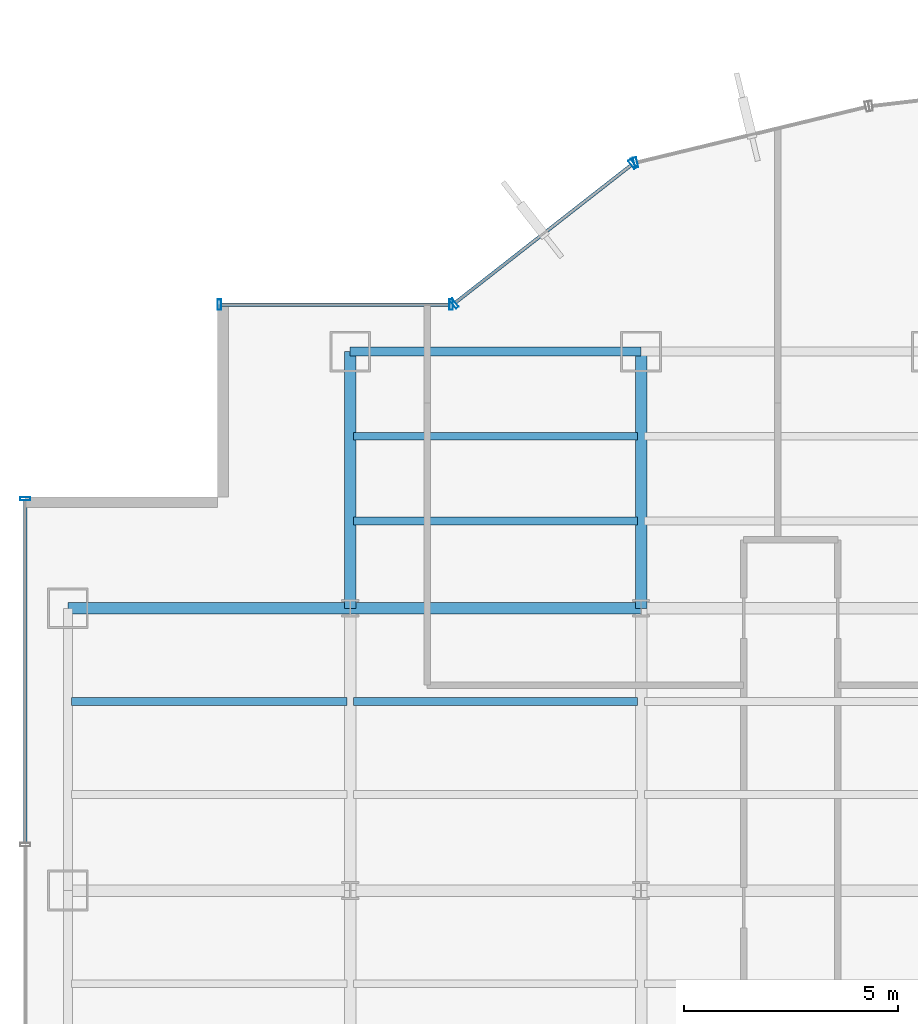
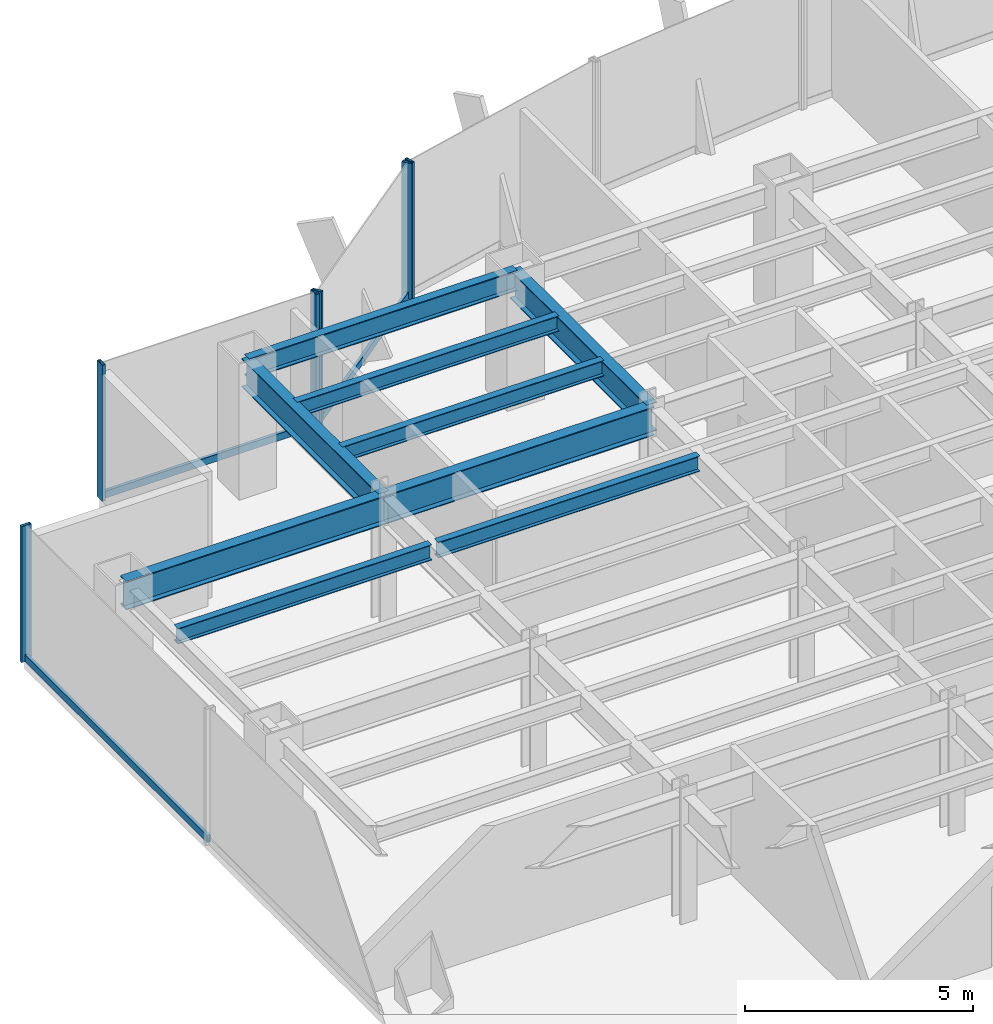
# One storey, part 10 of 22: 9 beams, 9 members, 4 elements without a shape of their own.
"""IFC4 building model written with IfcOpenShell, lengths in metres."""

from ifc_helpers import new_model, si_unit, derived_unit, direction, frame, origin, origin_2d, place, context, subcontext, project, spatial, hollow_rectangle, i_section, extrude, source, transform, mapped, material, material_profile, profile_set, type_object, element, aggregate, save


model = new_model("IFC4")

# Units and contexts
model_context = context("Model", 3, precision=1e-05, world=origin(), true_north=direction((0.0, 1.0)))
body_context = subcontext(model_context, "Body", "Model", "MODEL_VIEW")
ifc_project = project(units=[si_unit("LENGTHUNIT", "METRE"), si_unit("AREAUNIT", "SQUARE_METRE"), si_unit("VOLUMEUNIT", "CUBIC_METRE"), si_unit("PLANEANGLEUNIT", "RADIAN"), si_unit("MASSUNIT", "GRAM", prefix="KILO"), derived_unit("THERMALTRANSMITTANCEUNIT", [(si_unit("POWERUNIT", "WATT"), 1), (si_unit("LENGTHUNIT", "METRE"), -2), (si_unit("THERMODYNAMICTEMPERATUREUNIT", "KELVIN"), -1)])], contexts=[model_context])

# Site, building, storey
site_placement = place(None, origin())
site = spatial("IfcSite", under=ifc_project, at=site_placement, CompositionType="ELEMENT")
building_placement = place(site_placement, origin())
building = spatial("IfcBuilding", under=site, at=building_placement, Name="Skarnbrae Concourse Arena and Tower", CompositionType="ELEMENT")
storey_placement = place(building_placement, frame((0.0, 0.0, 39.800048828125)))
storey = spatial("IfcBuildingStorey", under=building, at=storey_placement, Name="L08", CompositionType="ELEMENT", Elevation=39.800048828125)

# Beams
ifc_material_1 = material(Name="Steel CSA G40.21 350W", Category="steel")
ifc_material_profile_1 = material_profile(ifc_material_1, i_section(OverallWidth=0.26806640625, OverallDepth=0.77001953125, WebThickness=0.015625, FlangeThickness=0.025390625, at=origin_2d()), Name="W760X196")
ifc_profile_set_1 = profile_set([ifc_material_profile_1], Name="Steel CSA G40.21 350W")
beam_type_1 = type_object("IfcBeamType", Name="BM-GIRD-W760X196", PredefinedType="BEAM", material=ifc_profile_set_1)
shared_shape_1 = source(origin(), body_context, "Body", "SweptSolid", [
    extrude(i_section(OverallWidth=0.26806640625, OverallDepth=0.77001953125, WebThickness=0.015625, FlangeThickness=0.025390625, at=origin_2d()), origin(), (0.0, 0.0, 1.0), 6.60009765625),
])
beam_1_placement = place(storey_placement, frame((1.0, 34.39990234375, 3.014892578125), z_axis=(1.0, 0.0, 0.0), x_axis=(0.0, 1.0, 0.0)))
element("IfcBeam", 1, at=beam_1_placement, inside=storey, type_object=beam_type_1, Name="L08 Primary E-W girder Y34.4-1", PredefinedType="BEAM", context=body_context, shape_type="MappedRepresentation", body=[
    mapped(shared_shape_1, transform((0.0, 0.0, 0.0))),
])
shared_shape_2 = source(origin(), body_context, "Body", "SweptSolid", [
    extrude(i_section(OverallWidth=0.26806640625, OverallDepth=0.77001953125, WebThickness=0.015625, FlangeThickness=0.025390625, at=origin_2d()), origin(), (0.0, 0.0, 1.0), 6.7998046875),
])
beam_2_placement = place(storey_placement, frame((7.60009765625, 34.39990234375, 3.014892578125), z_axis=(1.0, 0.0, 0.0), x_axis=(0.0, 1.0, 0.0)))
element("IfcBeam", 2, at=beam_2_placement, inside=storey, type_object=beam_type_1, Name="L08 Primary E-W girder Y34.4-2", PredefinedType="BEAM", context=body_context, shape_type="MappedRepresentation", body=[
    mapped(shared_shape_2, transform((0.0, 0.0, 0.0))),
])
shared_shape_3 = source(origin(), body_context, "Body", "SweptSolid", [
    extrude(i_section(OverallWidth=0.26806640625, OverallDepth=0.77001953125, WebThickness=0.015625, FlangeThickness=0.025390625, at=origin_2d()), origin(), (0.0, 0.0, 1.0), 6.0),
])
for number, where, z_axis, x_axis, name in (
    (3, (7.60009765625, 34.39990234375, 3.014892578125), (0.0, 1.0, 0.0), (-1.0, 0.0, 0.0), "L08 Primary N-S girder X7.6-4"),
    (4, (14.39990234375, 34.39990234375, 3.014892578125), (0.0, 1.0, 0.0), (-1.0, 0.0, 0.0), "L08 Primary N-S girder X14.4-4"),
):
    element("IfcBeam", number, at=place(storey_placement, frame(where, z_axis=z_axis, x_axis=x_axis)), inside=storey, type_object=beam_type_1, Name=name, PredefinedType="BEAM", context=body_context, shape_type="MappedRepresentation", body=[
        mapped(shared_shape_3, transform((0.0, 0.0, 0.0))),
    ])
ifc_material_profile_2 = material_profile(ifc_material_1, i_section(OverallWidth=0.214111328125, OverallDepth=0.549072265625, WebThickness=0.0146484375, FlangeThickness=0.023681640625, at=origin_2d()), Name="W530X138")
ifc_profile_set_2 = profile_set([ifc_material_profile_2], Name="Steel CSA G40.21 350W")
beam_type_2 = type_object("IfcBeamType", Name="BM-SPAN-W530X138", PredefinedType="SPANDREL", material=ifc_profile_set_2)
shared_shape_4 = source(origin(), body_context, "Body", "SweptSolid", [
    extrude(i_section(OverallWidth=0.214111328125, OverallDepth=0.549072265625, WebThickness=0.0146484375, FlangeThickness=0.023681640625, at=origin_2d()), origin(), (0.0, 0.0, 1.0), 6.7998046875),
])
beam_3_placement = place(storey_placement, frame((7.60009765625, 40.39990234375, 3.12548828125), z_axis=(1.0, 0.0, 0.0), x_axis=(0.0, 1.0, 0.0)))
element("IfcBeam", 5, at=beam_3_placement, inside=storey, type_object=beam_type_2, Name="L08 Perimeter spandrel Y40.4-1", PredefinedType="SPANDREL", context=body_context, shape_type="MappedRepresentation", body=[
    mapped(shared_shape_4, transform((0.0, 0.0, 0.0))),
])
ifc_material_profile_3 = material_profile(ifc_material_1, i_section(OverallWidth=0.180908203125, OverallDepth=0.4169921875, WebThickness=0.010986328125, FlangeThickness=0.018310546875, at=origin_2d()), Name="W410X85")
ifc_profile_set_3 = profile_set([ifc_material_profile_3], Name="Steel CSA G40.21 350W")
beam_type_3 = type_object("IfcBeamType", Name="BM-JOIST-W410X85", PredefinedType="JOIST", material=ifc_profile_set_3)
shared_shape_5 = source(origin(), body_context, "Body", "SweptSolid", [
    extrude(i_section(OverallWidth=0.180908203125, OverallDepth=0.4169921875, WebThickness=0.010986328125, FlangeThickness=0.018310546875, at=origin_2d()), origin(), (0.0, 0.0, 1.0), 6.43994140625),
])
beam_4_placement = place(storey_placement, frame((1.080078125, 32.221923828125, 3.19140625), z_axis=(1.0, 0.0, 0.0), x_axis=(0.0, 1.0, 0.0)))
element("IfcBeam", 6, at=beam_4_placement, inside=storey, type_object=beam_type_3, Name="L08 Secondary floor joist 3.2.1", PredefinedType="JOIST", context=body_context, shape_type="MappedRepresentation", body=[
    mapped(shared_shape_5, transform((0.0, 0.0, 0.0))),
])
shared_shape_6 = source(origin(), body_context, "Body", "SweptSolid", [
    extrude(i_section(OverallWidth=0.180908203125, OverallDepth=0.4169921875, WebThickness=0.010986328125, FlangeThickness=0.018310546875, at=origin_2d()), origin(), (0.0, 0.0, 1.0), 6.64013671875),
])
for number, where, z_axis, x_axis, name in (
    (7, (7.679931640625, 32.221923828125, 3.19140625), (1.0, 0.0, 0.0), (0.0, 1.0, 0.0), "L08 Secondary floor joist 3.2.2"),
    (8, (7.679931640625, 36.43994140625, 3.19140625), (1.0, 0.0, 0.0), (0.0, 1.0, 0.0), "L08 Secondary floor joist 4.1.1"),
    (9, (7.679931640625, 38.419921875, 3.19140625), (1.0, 0.0, 0.0), (0.0, 1.0, 0.0), "L08 Secondary floor joist 4.2.1"),
):
    element("IfcBeam", number, at=place(storey_placement, frame(where, z_axis=z_axis, x_axis=x_axis)), inside=storey, type_object=beam_type_3, Name=name, PredefinedType="JOIST", context=body_context, shape_type="MappedRepresentation", body=[
        mapped(shared_shape_6, transform((0.0, 0.0, 0.0))),
    ])

# Curtain wall, member
ifc_material_2 = material(Name="Bronze anodised aluminium 6063-T6", Category="aluminium")
curtain_wall_type = type_object("IfcCurtainWallType", Name="CW-SYS-02-LOWZONE", PredefinedType="USERDEFINED", material=ifc_material_2)
curtain_wall_1_placement = place(storey_placement, origin())
curtain_wall_1 = element("IfcCurtainWall", 10, at=curtain_wall_1_placement, inside=storey, type_object=curtain_wall_type, Name="L08 Unitised curtain wall CW-L08-E14", ObjectType="UNITISED CURTAIN WALL", PredefinedType="USERDEFINED")
ifc_material_profile_4 = material_profile(ifc_material_2, hollow_rectangle(XDim=0.080078125, YDim=0.239990234375, WallThickness=0.0048828125, at=origin_2d()), Name="ALU-MULL-80X240")
ifc_profile_set_4 = profile_set([ifc_material_profile_4], Name="Bronze anodised aluminium 6063-T6")
member_type_1 = type_object("IfcMemberType", Name="CWM-CW-02", PredefinedType="MULLION", material=ifc_profile_set_4)
shared_shape_7 = source(origin(), body_context, "Body", "SweptSolid", [
    extrude(hollow_rectangle(XDim=0.080078125, YDim=0.239990234375, WallThickness=0.0048828125, at=origin_2d()), origin(), (0.0, 0.0, 1.0), 3.64990234375),
])
member_1_placement = place(storey_placement, frame((14.272705078125, 44.821044921875, 0.0), z_axis=(0.0, 0.0, 1.0), x_axis=(-0.971973721569, -0.235089524607, 0.0)))
member_1 = element("IfcMember", 11, at=member_1_placement, type_object=member_type_1, Name="CW-L08-E14 Mullion 2", PredefinedType="MULLION", context=body_context, shape_type="MappedRepresentation", body=[
    mapped(shared_shape_7, transform((0.0, 0.0, 0.0))),
])
aggregate(curtain_wall_1, [member_1])

# Curtain wall, members
curtain_wall_2_placement = place(storey_placement, origin())
curtain_wall_2 = element("IfcCurtainWall", 12, at=curtain_wall_2_placement, inside=storey, type_object=curtain_wall_type, Name="L08 Unitised curtain wall CW-L08-E15", ObjectType="UNITISED CURTAIN WALL", PredefinedType="USERDEFINED")
member_2_placement = place(storey_placement, frame((14.2021484375, 44.787109375, 0.0), z_axis=(0.0, 0.0, 1.0), x_axis=(-0.787651726054, -0.616120733658, 0.0)))
member_2 = element("IfcMember", 13, at=member_2_placement, type_object=member_type_1, Name="CW-L08-E15 Mullion 1", PredefinedType="MULLION", context=body_context, shape_type="MappedRepresentation", body=[
    mapped(shared_shape_7, transform((0.0, 0.0, 0.0))),
])
member_3_placement = place(storey_placement, frame((10.031494140625, 41.524658203125, 0.0), z_axis=(0.0, 0.0, 1.0), x_axis=(-0.787651726054, -0.616120733658, 0.0)))
member_3 = element("IfcMember", 14, at=member_3_placement, type_object=member_type_1, Name="CW-L08-E15 Mullion 2", PredefinedType="MULLION", context=body_context, shape_type="MappedRepresentation", body=[
    mapped(shared_shape_7, transform((0.0, 0.0, 0.0))),
])

curtain_wall_3_placement = place(storey_placement, origin())
curtain_wall_3 = element("IfcCurtainWall", 15, at=curtain_wall_3_placement, inside=storey, type_object=curtain_wall_type, Name="L08 Unitised curtain wall CW-L08-E16", ObjectType="UNITISED CURTAIN WALL", PredefinedType="USERDEFINED")
member_4_placement = place(storey_placement, frame((9.9599609375, 41.5, 0.0), z_axis=(0.0, 0.0, 1.0), x_axis=(-1.0, 0.0, 0.0)))
member_4 = element("IfcMember", 16, at=member_4_placement, type_object=member_type_1, Name="CW-L08-E16 Mullion 1", PredefinedType="MULLION", context=body_context, shape_type="MappedRepresentation", body=[
    mapped(shared_shape_7, transform((0.0, 0.0, 0.0))),
])
member_5_placement = place(storey_placement, frame((4.5400390625, 41.5, 0.0), z_axis=(0.0, 0.0, 1.0), x_axis=(-1.0, 0.0, 0.0)))
member_5 = element("IfcMember", 17, at=member_5_placement, type_object=member_type_1, Name="CW-L08-E16 Mullion 2", PredefinedType="MULLION", context=body_context, shape_type="MappedRepresentation", body=[
    mapped(shared_shape_7, transform((0.0, 0.0, 0.0))),
])

# Curtain wall, member
curtain_wall_4_placement = place(storey_placement, origin())
curtain_wall_4 = element("IfcCurtainWall", 18, at=curtain_wall_4_placement, inside=storey, type_object=curtain_wall_type, Name="L08 Unitised curtain wall CW-L08-E19", ObjectType="UNITISED CURTAIN WALL", PredefinedType="USERDEFINED")
member_6_placement = place(storey_placement, frame((0.0, 36.9599609375, 0.0), z_axis=(0.0, 0.0, 1.0), x_axis=(0.0, -1.0, 0.0)))
member_6 = element("IfcMember", 19, at=member_6_placement, type_object=member_type_1, Name="CW-L08-E19 Mullion 1", PredefinedType="MULLION", context=body_context, shape_type="MappedRepresentation", body=[
    mapped(shared_shape_7, transform((0.0, 0.0, 0.0))),
])

# Member
ifc_material_profile_5 = material_profile(ifc_material_2, hollow_rectangle(XDim=0.080078125, YDim=0.18994140625, WallThickness=0.0048828125, at=origin_2d()), Name="ALU-TRAN-80X190")
ifc_profile_set_5 = profile_set([ifc_material_profile_5], Name="Bronze anodised aluminium 6063-T6")
member_type_2 = type_object("IfcMemberType", Name="CWT-CW-02", PredefinedType="USERDEFINED", material=ifc_profile_set_5)
shared_shape_8 = source(origin(), body_context, "Body", "SweptSolid", [
    extrude(hollow_rectangle(XDim=0.080078125, YDim=0.18994140625, WallThickness=0.0048828125, at=origin_2d()), origin(), (0.0, 0.0, 1.0), 5.33984375),
])
member_7_placement = place(storey_placement, frame((9.919921875, 41.5, 0.094970703125), z_axis=(-1.0, 0.0, 0.0), x_axis=(0.0, -1.0, 0.0)))
member_7 = element("IfcMember", 20, at=member_7_placement, type_object=member_type_2, Name="CW-L08-E16 Transom 1", ObjectType="TRANSOM", PredefinedType="USERDEFINED", context=body_context, shape_type="MappedRepresentation", body=[
    mapped(shared_shape_8, transform((0.0, 0.0, 0.0))),
])

aggregate(curtain_wall_3, [member_4, member_5, member_7])

shared_shape_9 = source(origin(), body_context, "Body", "SweptSolid", [
    extrude(hollow_rectangle(XDim=0.080078125, YDim=0.18994140625, WallThickness=0.0048828125, at=origin_2d()), origin(), (0.0, 0.0, 1.0), 5.215087890625),
])
member_8_placement = place(storey_placement, frame((14.170654296875, 44.762451171875, 0.094970703125), z_axis=(-0.787650196702, -0.616122688784, 0.0), x_axis=(0.616122688784, -0.787650196702, 0.0)))
member_8 = element("IfcMember", 21, at=member_8_placement, type_object=member_type_2, Name="CW-L08-E15 Transom 1", ObjectType="TRANSOM", PredefinedType="USERDEFINED", context=body_context, shape_type="MappedRepresentation", body=[
    mapped(shared_shape_9, transform((0.0, 0.0, 0.0))),
])

aggregate(curtain_wall_2, [member_2, member_3, member_8])

shared_shape_10 = source(origin(), body_context, "Body", "SweptSolid", [
    extrude(hollow_rectangle(XDim=0.080078125, YDim=0.18994140625, WallThickness=0.0048828125, at=origin_2d()), origin(), (0.0, 0.0, 1.0), 8.0048828125),
])
member_9_placement = place(storey_placement, frame((0.0, 36.919921875, 0.094970703125), z_axis=(0.0, -1.0, 0.0), x_axis=(1.0, 0.0, 0.0)))
member_9 = element("IfcMember", 22, at=member_9_placement, type_object=member_type_2, Name="CW-L08-E19 Transom 1", ObjectType="TRANSOM", PredefinedType="USERDEFINED", context=body_context, shape_type="MappedRepresentation", body=[
    mapped(shared_shape_10, transform((0.0, 0.0, 0.0))),
])

aggregate(curtain_wall_4, [member_6, member_9])

save(model, "model.ifc")
